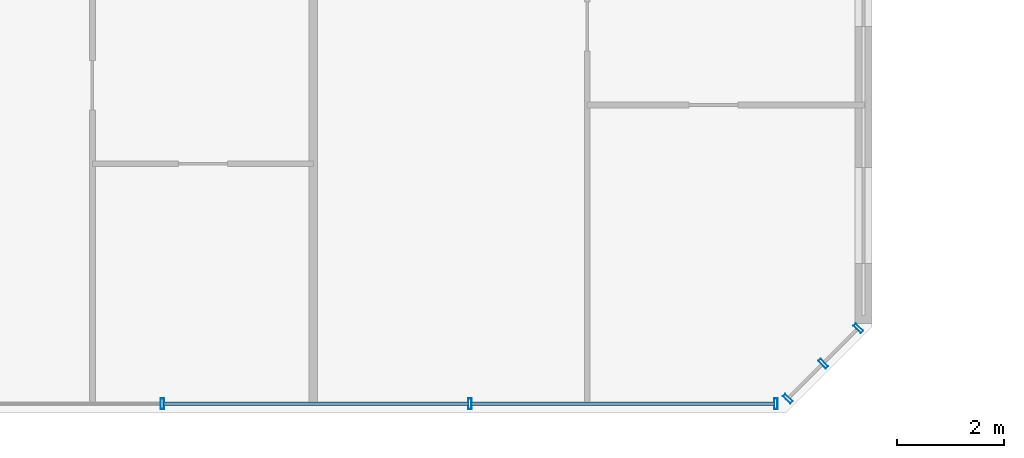
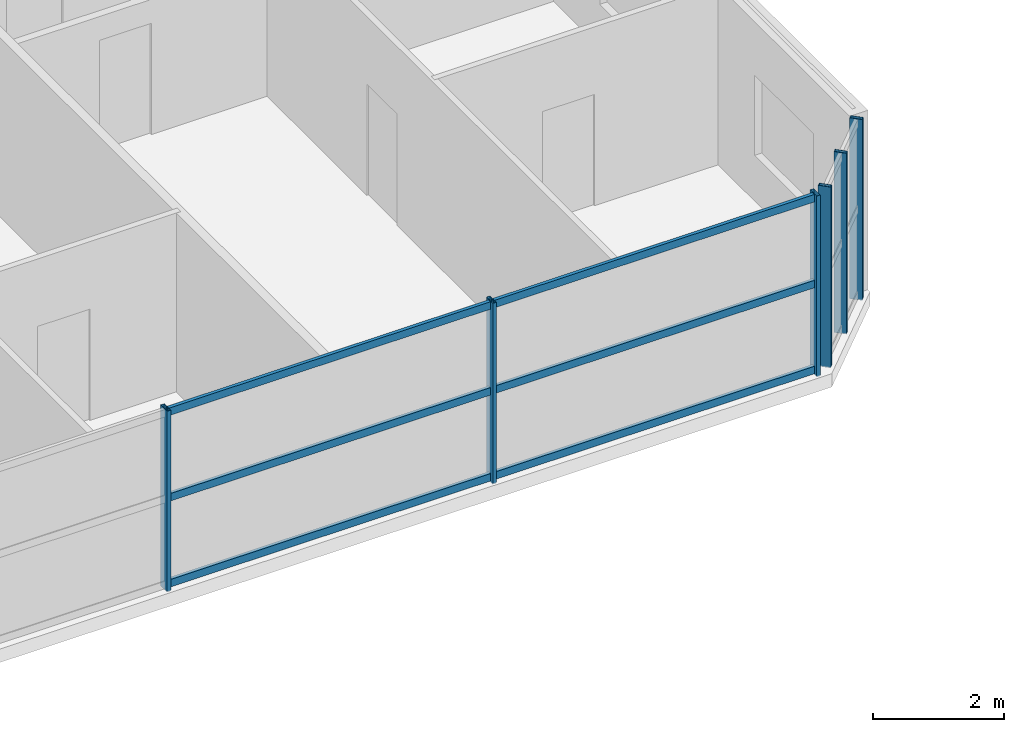
# One storey, part 6 of 21: 12 members, 2 elements without a shape of their own.
"""IFC4 building model written with IfcOpenShell, lengths in metres."""

from ifc_helpers import new_model, si_unit, direction, frame, origin, origin_2d, place, context, subcontext, project, spatial, hollow_rectangle, extrude, source, transform, mapped, material, material_profile, profile_set, type_object, element, aggregate, save


model = new_model("IFC4")

# Units and contexts
model_context = context("Model", 3, precision=1e-05, world=origin(), true_north=direction((0.0, 1.0)))
body_context = subcontext(model_context, "Body", "Model", "MODEL_VIEW")
ifc_project = project(units=[si_unit("LENGTHUNIT", "METRE"), si_unit("AREAUNIT", "SQUARE_METRE"), si_unit("VOLUMEUNIT", "CUBIC_METRE"), si_unit("PLANEANGLEUNIT", "RADIAN"), si_unit("MASSUNIT", "GRAM", prefix="KILO")], contexts=[model_context])

# Site, building, storey
site_placement = place(None, origin())
site = spatial("IfcSite", under=ifc_project, at=site_placement, CompositionType="ELEMENT")
building_placement = place(site_placement, origin())
building = spatial("IfcBuilding", under=site, at=building_placement, Name="Tlacorven Tower", CompositionType="ELEMENT")
storey_placement = place(building_placement, frame((0.0, 0.0, 184.199951171875)))
storey = spatial("IfcBuildingStorey", under=building, at=storey_placement, Name="L46", CompositionType="ELEMENT", Elevation=184.199951171875)

# Curtain wall, members
ifc_material_1 = material(Name="Dark solar low-E double glazing in aluminium frame", Category="aluminium")
curtain_wall_type = type_object("IfcCurtainWallType", Name="CW-TWR-MID", PredefinedType="USERDEFINED", material=ifc_material_1)
curtain_wall_1_placement = place(storey_placement, origin())
curtain_wall_1 = element("IfcCurtainWall", 1, at=curtain_wall_1_placement, inside=storey, type_object=curtain_wall_type, Name="L46 CW-TWR-MID Curtain Wall 213", ObjectType="UNITISED CURTAIN WALL", PredefinedType="USERDEFINED")
ifc_material_2 = material(Name="Aluminium 6063-T6 anodised", Category="aluminium")
ifc_material_profile_1 = material_profile(ifc_material_2, hollow_rectangle(XDim=0.06005859375, YDim=0.139892578125, WallThickness=0.00390625, at=origin_2d()), Name="ALU TRANSOM 60X140")
ifc_profile_set_1 = profile_set([ifc_material_profile_1], Name="Aluminium 6063-T6 anodised")
member_type_1 = type_object("IfcMemberType", Name="CWT-02", PredefinedType="USERDEFINED", material=ifc_profile_set_1)
shared_shape_1 = source(origin(), body_context, "Body", "SweptSolid", [
    extrude(hollow_rectangle(XDim=0.06005859375, YDim=0.139892578125, WallThickness=0.00390625, at=origin_2d()), origin(), (0.0, 0.0, 1.0), 5.682373046875),
])
member_1_placement = place(storey_placement, frame((50.580810546875, 1.9599609375, 0.070068359375), z_axis=(-1.0, 0.0, 0.0), x_axis=(0.0, -1.0, 0.0)))
member_1 = element("IfcMember", 2, at=member_1_placement, type_object=member_type_1, Name="CW-L46-213 Transom 1", ObjectType="TRANSOM", PredefinedType="USERDEFINED", context=body_context, shape_type="MappedRepresentation", body=[
    mapped(shared_shape_1, transform((0.0, 0.0, 0.0), scale=1.0)),
])
member_2_placement = place(storey_placement, frame((50.580810546875, 1.9599609375, 1.675048828125), z_axis=(-1.0, 0.0, 0.0), x_axis=(0.0, -1.0, 0.0)))
member_2 = element("IfcMember", 3, at=member_2_placement, type_object=member_type_1, Name="CW-L46-213 Transom 2", ObjectType="TRANSOM", PredefinedType="USERDEFINED", context=body_context, shape_type="MappedRepresentation", body=[
    mapped(shared_shape_1, transform((0.0, 0.0, 0.0), scale=1.0)),
])
member_3_placement = place(storey_placement, frame((50.580810546875, 1.9599609375, 3.280029296875), z_axis=(-1.0, 0.0, 0.0), x_axis=(0.0, -1.0, 0.0)))
member_3 = element("IfcMember", 4, at=member_3_placement, type_object=member_type_1, Name="CW-L46-213 Transom 3", ObjectType="TRANSOM", PredefinedType="USERDEFINED", context=body_context, shape_type="MappedRepresentation", body=[
    mapped(shared_shape_1, transform((0.0, 0.0, 0.0), scale=1.0)),
])
shared_shape_2 = source(origin(), body_context, "Body", "SweptSolid", [
    extrude(hollow_rectangle(XDim=0.06005859375, YDim=0.139892578125, WallThickness=0.00390625, at=origin_2d()), origin(), (0.0, 0.0, 1.0), 5.71484375),
])
member_4_placement = place(storey_placement, frame((44.857421875, 1.9599609375, 0.070068359375), z_axis=(-1.0, 0.0, 0.0), x_axis=(0.0, -1.0, 0.0)))
member_4 = element("IfcMember", 5, at=member_4_placement, type_object=member_type_1, Name="CW-L46-213 Transom 4", ObjectType="TRANSOM", PredefinedType="USERDEFINED", context=body_context, shape_type="MappedRepresentation", body=[
    mapped(shared_shape_2, transform((0.0, 0.0, 0.0), scale=1.0)),
])
member_5_placement = place(storey_placement, frame((44.857421875, 1.9599609375, 1.675048828125), z_axis=(-1.0, 0.0, 0.0), x_axis=(0.0, -1.0, 0.0)))
member_5 = element("IfcMember", 6, at=member_5_placement, type_object=member_type_1, Name="CW-L46-213 Transom 5", ObjectType="TRANSOM", PredefinedType="USERDEFINED", context=body_context, shape_type="MappedRepresentation", body=[
    mapped(shared_shape_2, transform((0.0, 0.0, 0.0), scale=1.0)),
])
member_6_placement = place(storey_placement, frame((44.857421875, 1.9599609375, 3.280029296875), z_axis=(-1.0, 0.0, 0.0), x_axis=(0.0, -1.0, 0.0)))
member_6 = element("IfcMember", 7, at=member_6_placement, type_object=member_type_1, Name="CW-L46-213 Transom 6", ObjectType="TRANSOM", PredefinedType="USERDEFINED", context=body_context, shape_type="MappedRepresentation", body=[
    mapped(shared_shape_2, transform((0.0, 0.0, 0.0), scale=1.0)),
])

curtain_wall_2_placement = place(storey_placement, origin())
curtain_wall_2 = element("IfcCurtainWall", 8, at=curtain_wall_2_placement, inside=storey, type_object=curtain_wall_type, Name="L46 CW-TWR-MID Curtain Wall 212", ObjectType="UNITISED CURTAIN WALL", PredefinedType="USERDEFINED")
ifc_material_profile_2 = material_profile(ifc_material_2, hollow_rectangle(XDim=0.06494140625, YDim=0.199951171875, WallThickness=0.00439453125, at=origin_2d()), Name="ALU MULLION 65X200")
ifc_profile_set_2 = profile_set([ifc_material_profile_2], Name="Aluminium 6063-T6 anodised")
member_type_2 = type_object("IfcMemberType", Name="CWM-02", PredefinedType="MULLION", material=ifc_profile_set_2)
shared_shape_3 = source(origin(), body_context, "Body", "SweptSolid", [
    extrude(hollow_rectangle(XDim=0.06494140625, YDim=0.199951171875, WallThickness=0.00439453125, at=origin_2d()), origin(), (0.0, 0.0, 1.0), 3.380126953125),
])
member_7_placement = place(storey_placement, frame((52.146240234375, 3.37255859375, -0.02001953125), z_axis=(0.0, 0.0, 1.0), x_axis=(-0.707106781187, -0.707106781187, 0.0)))
member_7 = element("IfcMember", 9, at=member_7_placement, type_object=member_type_2, Name="CW-L46-212 Mullion 1", PredefinedType="MULLION", context=body_context, shape_type="MappedRepresentation", body=[
    mapped(shared_shape_3, transform((0.0, 0.0, 0.0), scale=1.0)),
])
member_8_placement = place(storey_placement, frame((51.48681640625, 2.713134765625, -0.02001953125), z_axis=(0.0, 0.0, 1.0), x_axis=(-0.707106781187, -0.707106781187, 0.0)))
member_8 = element("IfcMember", 10, at=member_8_placement, type_object=member_type_2, Name="CW-L46-212 Mullion 2", PredefinedType="MULLION", context=body_context, shape_type="MappedRepresentation", body=[
    mapped(shared_shape_3, transform((0.0, 0.0, 0.0), scale=1.0)),
])
member_9_placement = place(storey_placement, frame((50.827392578125, 2.0537109375, -0.02001953125), z_axis=(0.0, 0.0, 1.0), x_axis=(-0.707106781187, -0.707106781187, 0.0)))
member_9 = element("IfcMember", 11, at=member_9_placement, type_object=member_type_2, Name="CW-L46-212 Mullion 3", PredefinedType="MULLION", context=body_context, shape_type="MappedRepresentation", body=[
    mapped(shared_shape_3, transform((0.0, 0.0, 0.0), scale=1.0)),
])
aggregate(curtain_wall_2, [member_7, member_8, member_9])

# Member
member_10_placement = place(storey_placement, frame((50.601318359375, 1.9599609375, -0.02001953125), z_axis=(0.0, 0.0, 1.0), x_axis=(-1.0, 0.0, 0.0)))
member_10 = element("IfcMember", 12, at=member_10_placement, type_object=member_type_2, Name="CW-L46-213 Mullion 1", PredefinedType="MULLION", context=body_context, shape_type="MappedRepresentation", body=[
    mapped(shared_shape_3, transform((0.0, 0.0, 0.0), scale=1.0)),
])

member_11_placement = place(storey_placement, frame((44.8779296875, 1.9599609375, -0.02001953125), z_axis=(0.0, 0.0, 1.0), x_axis=(-1.0, 0.0, 0.0)))
member_11 = element("IfcMember", 13, at=member_11_placement, type_object=member_type_2, Name="CW-L46-213 Mullion 2", PredefinedType="MULLION", context=body_context, shape_type="MappedRepresentation", body=[
    mapped(shared_shape_3, transform((0.0, 0.0, 0.0), scale=1.0)),
])

member_12_placement = place(storey_placement, frame((39.1220703125, 1.9599609375, -0.02001953125), z_axis=(0.0, 0.0, 1.0), x_axis=(-1.0, 0.0, 0.0)))
member_12 = element("IfcMember", 14, at=member_12_placement, type_object=member_type_2, Name="CW-L46-213 Mullion 3", PredefinedType="MULLION", context=body_context, shape_type="MappedRepresentation", body=[
    mapped(shared_shape_3, transform((0.0, 0.0, 0.0), scale=1.0)),
])

aggregate(curtain_wall_1, [member_10, member_11, member_12, member_1, member_2, member_3, member_4, member_5, member_6])

save(model, "model.ifc")
